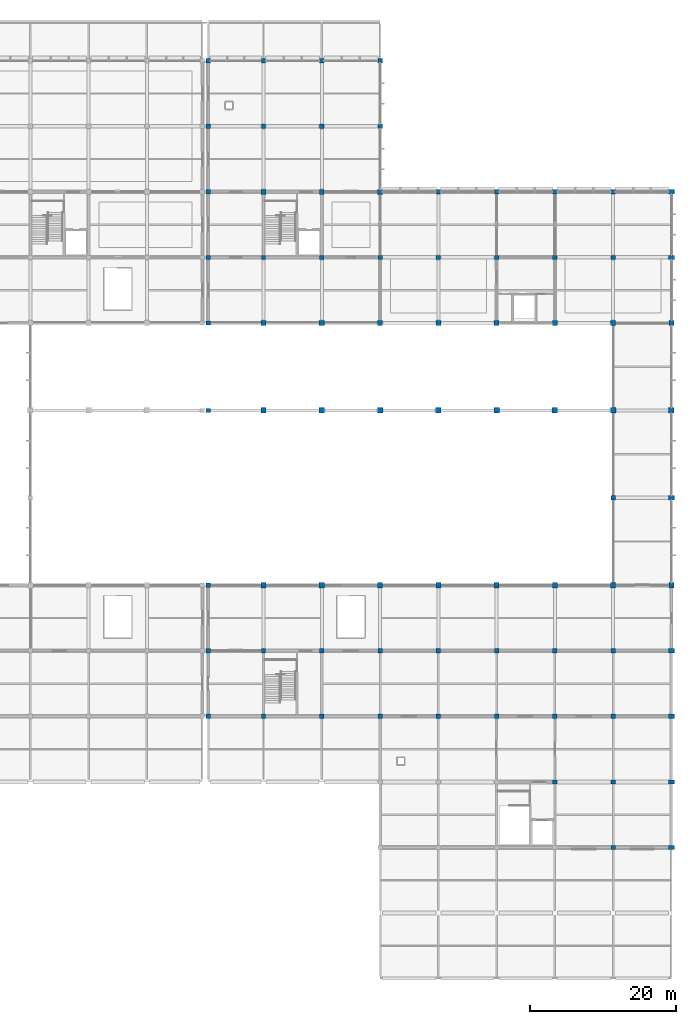
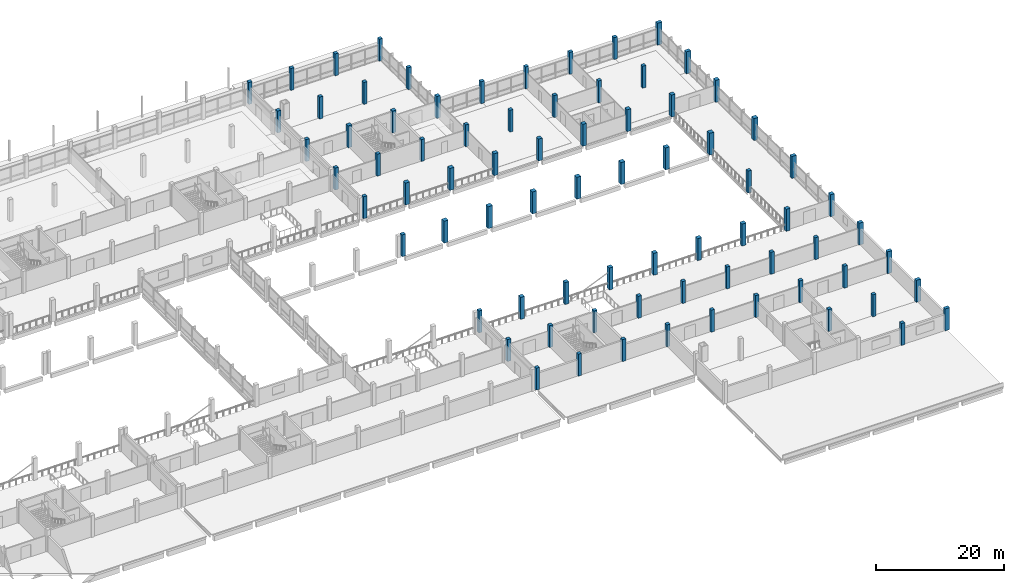
# One storey, part 2 of 57: 78 columns.
"""IFC4 building model written with IfcOpenShell, lengths in metres."""

import ifcopenshell
import ifcopenshell.guid

model = None  # the IFC model being written
_history = None  # IfcOwnerHistory: only IFC2X3 demands one
_inside = {}  # id of a spatial element -> (the spatial element, [elements in it])
_under = {}  # id of a project, library or spatial element -> (it, [spatial elements below it])
_declared = {}  # id of a project -> (the project, [libraries it declares])
_typed = {}  # id of a type object -> (the type object, [elements of that type])
_made_of = {}  # id of a material, layer set ... -> (it, [elements and type objects made of it])


def new_model(schema):
    """Start an empty IFC model of exactly this schema.

    Asked for "IFC4X3", IfcOpenShell would pick the latest addendum, in which some entities
    have other attributes; the version numbers below select the first issue.
    IFC2X3 requires an IfcOwnerHistory on every rooted entity: one is made here for all.
    """
    global model, _history
    if schema == "IFC4X3":
        model = ifcopenshell.file(schema_version=(4, 3, 0, 0))
    else:
        model = ifcopenshell.file(schema=schema)
    _inside.clear()
    _under.clear()
    _declared.clear()
    _typed.clear()
    _made_of.clear()
    _history = None
    if model.schema == "IFC2X3":
        org = make("IfcOrganization", Name="unknown")
        user = make(
            "IfcPersonAndOrganization",
            ThePerson=make("IfcPerson", FamilyName="unknown"),
            TheOrganization=org,
        )
        app = make(
            "IfcApplication",
            ApplicationDeveloper=org,
            Version="unknown",
            ApplicationFullName="unknown",
            ApplicationIdentifier="unknown",
        )
        _history = make(
            "IfcOwnerHistory",
            OwningUser=user,
            OwningApplication=app,
            ChangeAction="ADDED",
            CreationDate=0,
        )
    return model


def make(cls, **values):
    """One entity of the class cls with the attributes given. An attribute that is None is left unset."""
    return model.create_entity(
        cls, **{name: value for name, value in values.items() if value is not None}
    )


def rooted(cls, **values):
    """An entity with a GlobalId (a new one), such as an element, a storey or a relation."""
    return make(cls, GlobalId=ifcopenshell.guid.new(), OwnerHistory=_history, **values)


def si_unit(unit_type, name, prefix=None):
    """IfcSIUnit, for example si_unit("LENGTHUNIT", "METRE", prefix="MILLI")."""
    return make("IfcSIUnit", UnitType=unit_type, Prefix=prefix, Name=name)


def assignment(units):
    """IfcUnitAssignment: the units of a project."""
    return None if units is None else make("IfcUnitAssignment", Units=units)


def point(xyz):
    """IfcCartesianPoint."""
    return None if xyz is None else make("IfcCartesianPoint", Coordinates=xyz)


def direction(xyz):
    """IfcDirection."""
    return None if xyz is None else make("IfcDirection", DirectionRatios=xyz)


def frame(location, z_axis=None, x_axis=None):
    """IfcAxis2Placement3D, a coordinate frame: its origin and axes. An axis left out is left unset."""
    return make(
        "IfcAxis2Placement3D",
        Location=point(location),
        Axis=direction(z_axis),
        RefDirection=direction(x_axis),
    )


def frame_2d(location, x_axis=None):
    """IfcAxis2Placement2D, a coordinate frame in the plane: its origin and x axis."""
    return make(
        "IfcAxis2Placement2D", Location=point(location), RefDirection=direction(x_axis)
    )


def origin():
    """The frame at (0, 0, 0) with its axes left unset."""
    return frame((0.0, 0.0, 0.0))


def origin_2d():
    """The frame at (0, 0) in the plane with its x axis left unset."""
    return frame_2d((0.0, 0.0))


def place(relative_to, where):
    """IfcLocalPlacement: puts the frame where relative to a parent placement (None: the world)."""
    return make(
        "IfcLocalPlacement", PlacementRelTo=relative_to, RelativePlacement=where
    )


def context(
    kind, dimensions, precision=None, world=None, true_north=None, identifier=None
):
    """IfcGeometricRepresentationContext, for example the 3D "Model" context."""
    return make(
        "IfcGeometricRepresentationContext",
        ContextIdentifier=identifier,
        ContextType=kind,
        CoordinateSpaceDimension=dimensions,
        Precision=precision,
        WorldCoordinateSystem=world,
        TrueNorth=true_north,
    )


def subcontext(parent, identifier, kind, view, scale=None):
    """IfcGeometricRepresentationSubContext, for example "Body" below "Model"."""
    return make(
        "IfcGeometricRepresentationSubContext",
        ContextIdentifier=identifier,
        ContextType=kind,
        ParentContext=parent,
        TargetScale=scale,
        TargetView=view,
    )


def project(units=None, contexts=None):
    """IfcProject with its units and contexts."""
    return rooted(
        "IfcProject",
        Name="project",
        RepresentationContexts=contexts,
        UnitsInContext=assignment(units),
    )


def spatial(cls, under=None, at=None, **own):
    """A site, building, storey or space (cls), placed at a placement, below another one or the project."""
    s = rooted(cls, ObjectPlacement=at, **own)
    if under is not None:
        _under.setdefault(under.id(), (under, []))[1].append(s)
    return s


def profile(cls, at=None, kind="AREA", **sizes):
    """A parametric profile (cls). Its sizes go by their IFC names, for example OverallWidth=200.0."""
    return make(cls, ProfileType=kind, Position=at, **sizes)


def rectangle(**sizes):
    """IfcRectangleProfileDef."""
    return profile("IfcRectangleProfileDef", **sizes)


def extrude(swept, where, along, depth):
    """IfcExtrudedAreaSolid: the profile swept, set in the frame where, extruded along a direction by depth."""
    return make(
        "IfcExtrudedAreaSolid",
        SweptArea=swept,
        Position=where,
        ExtrudedDirection=direction(along),
        Depth=depth,
    )


def shape(context_of_items, identifier, shape_type, items):
    """IfcShapeRepresentation: the items that make up one representation, for example the "Body"."""
    return make(
        "IfcShapeRepresentation",
        ContextOfItems=context_of_items,
        RepresentationIdentifier=identifier,
        RepresentationType=shape_type,
        Items=items,
    )


def material(Name=None, Category=None):
    """IfcMaterial."""
    return make("IfcMaterial", Name=Name, Category=Category)


def material_profile(
    of_material, cross_section, Name=None, Category=None, Priority=None
):
    """IfcMaterialProfile: a cross section and its material."""
    return make(
        "IfcMaterialProfile",
        Name=Name,
        Material=of_material,
        Profile=cross_section,
        Priority=Priority,
        Category=Category,
    )


def profile_set(profiles, Name=None, composite=None):
    """IfcMaterialProfileSet."""
    return make(
        "IfcMaterialProfileSet",
        Name=Name,
        MaterialProfiles=profiles,
        CompositeProfile=composite,
    )


def made_of(thing, what):
    """Note that an element or type object is made of a material, layer set ...; save() writes the relation."""
    if what is not None:
        _made_of.setdefault(what.id(), (what, []))[1].append(thing)
    return thing


def type_object(cls, material=None, **own):
    """A type object (cls), such as IfcWallType, which elements share."""
    return made_of(rooted(cls, **own), material)


def element(
    cls,
    number,
    at=None,
    inside=None,
    cuts=None,
    type_object=None,
    material=None,
    context=None,
    identifier="Body",
    shape_type=None,
    held_by="IfcProductDefinitionShape",
    body=None,
    shapes=None,
    **own,
):
    """One element of the class cls, such as IfcWall. Its Tag is "e" and its number.

    at: its placement. inside: the storey or other place that contains it. cuts: it is an
    opening in that element (IfcRelVoidsElement). A single representation is given by context,
    identifier, shape_type and body (its items); several are given by shapes. held_by: the class
    of the entity that holds the representations. save() writes the other relations.
    """
    e = rooted(cls, Tag="e%d" % number, ObjectPlacement=at, **own)
    if body is not None:
        shapes = [shape(context, identifier, shape_type, body)]
    if shapes is not None:
        e.Representation = make(held_by, Representations=shapes)
    if inside is not None:
        _inside.setdefault(inside.id(), (inside, []))[1].append(e)
    if cuts is not None:
        rooted(
            "IfcRelVoidsElement", RelatingBuildingElement=cuts, RelatedOpeningElement=e
        )
    if type_object is not None:
        _typed.setdefault(type_object.id(), (type_object, []))[1].append(e)
    return made_of(e, material)


def aggregate(whole, parts):
    """IfcRelAggregates: a whole, such as a stair, and the parts it consists of."""
    return rooted("IfcRelAggregates", RelatingObject=whole, RelatedObjects=parts)


def save(model, path):
    """Write the relations noted so far, then the file.

    IfcRelAggregates (storeys below a building ...), IfcRelContainedInSpatialStructure (elements
    in a storey), IfcRelDefinesByType, IfcRelAssociatesMaterial and IfcRelDeclares: one each for
    every whole, place, type object, material and project.
    """
    for whole, parts in _under.values():
        aggregate(whole, parts)
    for where, things in _inside.values():
        rooted(
            "IfcRelContainedInSpatialStructure",
            RelatedElements=things,
            RelatingStructure=where,
        )
    for kind, things in _typed.values():
        rooted("IfcRelDefinesByType", RelatedObjects=things, RelatingType=kind)
    for what, things in _made_of.values():
        rooted("IfcRelAssociatesMaterial", RelatedObjects=things, RelatingMaterial=what)
    for by, libraries in _declared.values():
        rooted("IfcRelDeclares", RelatingContext=by, RelatedDefinitions=libraries)
    model.write(path)


model = new_model("IFC4")

# Units and contexts
model_context = context("Model", 3, precision=1e-05, world=origin(), true_north=direction((0.0, 1.0)))
body_context = subcontext(model_context, "Body", "Model", "MODEL_VIEW")
ifc_project = project(units=[si_unit("LENGTHUNIT", "METRE"), si_unit("AREAUNIT", "SQUARE_METRE"), si_unit("VOLUMEUNIT", "CUBIC_METRE"), si_unit("PLANEANGLEUNIT", "RADIAN"), si_unit("MASSUNIT", "GRAM", prefix="KILO"), si_unit("THERMODYNAMICTEMPERATUREUNIT", "KELVIN"), si_unit("POWERUNIT", "WATT")], contexts=[model_context])

# Site, building, storey
site_placement = place(None, origin())
site = spatial("IfcSite", under=ifc_project, at=site_placement, CompositionType="ELEMENT")
building_placement = place(site_placement, origin())
building = spatial("IfcBuilding", under=site, at=building_placement, Name="Kronsvod Quay Wholesale Market", CompositionType="ELEMENT")
storey_placement = place(building_placement, frame((0.0, 0.0, 4.800048828125)))
storey = spatial("IfcBuildingStorey", under=building, at=storey_placement, Name="L01", CompositionType="ELEMENT", Elevation=4.800048828125)

# Columns
ifc_material_1 = material(Name="Precast concrete C40/50", Category="concrete")
ifc_material_profile_1 = material_profile(ifc_material_1, rectangle(XDim=0.60009765625, YDim=0.60009765625, at=origin_2d()), Name="PCC600x600")
ifc_profile_set_1 = profile_set([ifc_material_profile_1], Name="Precast concrete C40/50")
column_type_1 = type_object("IfcColumnType", Name="Col_PCC600x600", PredefinedType="COLUMN", material=ifc_profile_set_1)
for number, where, z_axis, x_axis, name in (
    (1, (128.39990234375, 36.0, 0.0), (0.0, 0.0, 1.0), (1.0, 0.0, 0.0), "COLG-L01-1284-360"),
    (2, (128.39990234375, 45.0, 0.0), (0.0, 0.0, 1.0), (1.0, 0.0, 0.0), "COLG-L01-1284-450"),
    (3, (128.39990234375, 54.0, 0.0), (0.0, 0.0, 1.0), (1.0, 0.0, 0.0), "COLG-L01-1284-540"),
    (4, (128.39990234375, 78.0, 0.0), (0.0, 0.0, 1.0), (1.0, 0.0, 0.0), "COLG-L01-1284-780"),
    (5, (128.39990234375, 90.0, 0.0), (0.0, 0.0, 1.0), (1.0, 0.0, 0.0), "COLG-L01-1284-900"),
    (6, (128.39990234375, 99.0, 0.0), (0.0, 0.0, 1.0), (1.0, 0.0, 0.0), "COLG-L01-1284-990"),
    (7, (128.39990234375, 108.0, 0.0), (0.0, 0.0, 1.0), (1.0, 0.0, 0.0), "COLG-L01-1284-1080"),
    (8, (128.39990234375, 117.0, 0.0), (0.0, 0.0, 1.0), (1.0, 0.0, 0.0), "COLG-L01-1284-1170"),
    (9, (128.39990234375, 126.0, 0.0), (0.0, 0.0, 1.0), (1.0, 0.0, 0.0), "COLG-L01-1284-1260"),
    (10, (136.0, 36.0, 0.0), (0.0, 0.0, 1.0), (1.0, 0.0, 0.0), "COLG-L01-1360-360"),
    (11, (136.0, 45.0, 0.0), (0.0, 0.0, 1.0), (1.0, 0.0, 0.0), "COLG-L01-1360-450"),
    (12, (136.0, 99.0, 0.0), (0.0, 0.0, 1.0), (1.0, 0.0, 0.0), "COLG-L01-1360-990"),
    (13, (136.0, 117.0, 0.0), (0.0, 0.0, 1.0), (1.0, 0.0, 0.0), "COLG-L01-1360-1170"),
    (14, (136.0, 126.0, 0.0), (0.0, 0.0, 1.0), (1.0, 0.0, 0.0), "COLG-L01-1360-1260"),
    (15, (144.0, 36.0, 0.0), (0.0, 0.0, 1.0), (1.0, 0.0, 0.0), "COLG-L01-1440-360"),
    (16, (144.0, 45.0, 0.0), (0.0, 0.0, 1.0), (1.0, 0.0, 0.0), "COLG-L01-1440-450"),
    (17, (144.0, 99.0, 0.0), (0.0, 0.0, 1.0), (1.0, 0.0, 0.0), "COLG-L01-1440-990"),
    (18, (144.0, 117.0, 0.0), (0.0, 0.0, 1.0), (1.0, 0.0, 0.0), "COLG-L01-1440-1170"),
    (19, (144.0, 126.0, 0.0), (0.0, 0.0, 1.0), (1.0, 0.0, 0.0), "COLG-L01-1440-1260"),
    (20, (152.0, 36.0, 0.0), (0.0, 0.0, 1.0), (1.0, 0.0, 0.0), "COLG-L01-1520-360"),
    (21, (152.0, 45.0, 0.0), (0.0, 0.0, 1.0), (1.0, 0.0, 0.0), "COLG-L01-1520-450"),
    (22, (152.0, 99.0, 0.0), (0.0, 0.0, 1.0), (1.0, 0.0, 0.0), "COLG-L01-1520-990"),
    (23, (152.0, 117.0, 0.0), (0.0, 0.0, 1.0), (1.0, 0.0, 0.0), "COLG-L01-1520-1170"),
    (24, (152.0, 126.0, 0.0), (0.0, 0.0, 1.0), (1.0, 0.0, 0.0), "COLG-L01-1520-1260"),
    (25, (160.0, 36.0, 0.0), (0.0, 0.0, 1.0), (1.0, 0.0, 0.0), "COLG-L01-1600-360"),
    (26, (160.0, 45.0, 0.0), (0.0, 0.0, 1.0), (1.0, 0.0, 0.0), "COLG-L01-1600-450"),
    (27, (160.0, 99.0, 0.0), (0.0, 0.0, 1.0), (1.0, 0.0, 0.0), "COLG-L01-1600-990"),
    (28, (160.0, 108.0, 0.0), (0.0, 0.0, 1.0), (1.0, 0.0, 0.0), "COLG-L01-1600-1080"),
    (29, (168.0, 36.0, 0.0), (0.0, 0.0, 1.0), (1.0, 0.0, 0.0), "COLG-L01-1680-360"),
    (30, (168.0, 45.0, 0.0), (0.0, 0.0, 1.0), (1.0, 0.0, 0.0), "COLG-L01-1680-450"),
    (31, (168.0, 99.0, 0.0), (0.0, 0.0, 1.0), (1.0, 0.0, 0.0), "COLG-L01-1680-990"),
    (32, (168.0, 108.0, 0.0), (0.0, 0.0, 1.0), (1.0, 0.0, 0.0), "COLG-L01-1680-1080"),
    (33, (176.0, 27.0, 0.0), (0.0, 0.0, 1.0), (1.0, 0.0, 0.0), "COLG-L01-1760-270"),
    (34, (176.0, 36.0, 0.0), (0.0, 0.0, 1.0), (1.0, 0.0, 0.0), "COLG-L01-1760-360"),
    (35, (176.0, 45.0, 0.0), (0.0, 0.0, 1.0), (1.0, 0.0, 0.0), "COLG-L01-1760-450"),
    (36, (176.0, 99.0, 0.0), (0.0, 0.0, 1.0), (1.0, 0.0, 0.0), "COLG-L01-1760-990"),
    (37, (176.0, 108.0, 0.0), (0.0, 0.0, 1.0), (1.0, 0.0, 0.0), "COLG-L01-1760-1080"),
    (38, (184.0, 18.0, 0.0), (0.0, 0.0, 1.0), (1.0, 0.0, 0.0), "COLG-L01-1840-180"),
    (39, (184.0, 27.0, 0.0), (0.0, 0.0, 1.0), (1.0, 0.0, 0.0), "COLG-L01-1840-270"),
    (40, (184.0, 36.0, 0.0), (0.0, 0.0, 1.0), (1.0, 0.0, 0.0), "COLG-L01-1840-360"),
    (41, (184.0, 45.0, 0.0), (0.0, 0.0, 1.0), (1.0, 0.0, 0.0), "COLG-L01-1840-450"),
    (42, (184.0, 66.0, 0.0), (0.0, 0.0, 1.0), (1.0, 0.0, 0.0), "COLG-L01-1840-660"),
    (43, (184.0, 99.0, 0.0), (0.0, 0.0, 1.0), (1.0, 0.0, 0.0), "COLG-L01-1840-990"),
    (44, (184.0, 108.0, 0.0), (0.0, 0.0, 1.0), (1.0, 0.0, 0.0), "COLG-L01-1840-1080"),
):
    element("IfcColumn", number, at=place(storey_placement, frame(where, z_axis=z_axis, x_axis=x_axis)), inside=storey, type_object=column_type_1, Name=name, PredefinedType="COLUMN", context=body_context, shape_type="SweptSolid", body=[
        extrude(rectangle(XDim=0.60009765625, YDim=0.60009765625, at=origin_2d()), origin(), (0.0, 0.0, 1.0), 4.199951171875),
    ])
ifc_material_2 = material(Name="Precast concrete C40/50", Category="concrete")
ifc_material_profile_2 = material_profile(ifc_material_2, rectangle(XDim=0.64990234375, YDim=0.64990234375, at=origin_2d()), Name="COL-08")
ifc_profile_set_2 = profile_set([ifc_material_profile_2], Name="Precast concrete C40/50")
column_type_2 = type_object("IfcColumnType", Name="Col_PCC650x650", PredefinedType="COLUMN", material=ifc_profile_set_2)
for number, where, z_axis, x_axis, name in (
    (45, (136.0, 108.0, 0.0), (0.0, 0.0, 1.0), (1.0, 0.0, 0.0), "COLG-L01-1360-1080"),
    (46, (144.0, 108.0, 0.0), (0.0, 0.0, 1.0), (1.0, 0.0, 0.0), "COLG-L01-1440-1080"),
    (47, (152.0, 108.0, 0.0), (0.0, 0.0, 1.0), (1.0, 0.0, 0.0), "COLG-L01-1520-1080"),
):
    element("IfcColumn", number, at=place(storey_placement, frame(where, z_axis=z_axis, x_axis=x_axis)), inside=storey, type_object=column_type_2, Name=name, PredefinedType="COLUMN", context=body_context, shape_type="SweptSolid", body=[
        extrude(rectangle(XDim=0.64990234375, YDim=0.64990234375, at=origin_2d()), origin(), (0.0, 0.0, 1.0), 4.199951171875),
    ])
ifc_material_3 = material(Name="Precast concrete C40/50", Category="concrete")
ifc_material_profile_3 = material_profile(ifc_material_3, rectangle(XDim=0.699951171875, YDim=0.699951171875, at=origin_2d()), Name="PCC700x700")
ifc_profile_set_3 = profile_set([ifc_material_profile_3], Name="Precast concrete C40/50")
column_type_3 = type_object("IfcColumnType", Name="Col_PCC700x700", PredefinedType="COLUMN", material=ifc_profile_set_3)
for number, where, z_axis, x_axis, name in (
    (48, (136.0, 54.0, 0.0), (0.0, 0.0, 1.0), (1.0, 0.0, 0.0), "COLG-L01-1360-540"),
    (49, (136.0, 90.0, 0.0), (0.0, 0.0, 1.0), (1.0, 0.0, 0.0), "COLG-L01-1360-900"),
    (50, (144.0, 54.0, 0.0), (0.0, 0.0, 1.0), (1.0, 0.0, 0.0), "COLG-L01-1440-540"),
    (51, (144.0, 90.0, 0.0), (0.0, 0.0, 1.0), (1.0, 0.0, 0.0), "COLG-L01-1440-900"),
    (52, (152.0, 54.0, 0.0), (0.0, 0.0, 1.0), (1.0, 0.0, 0.0), "COLG-L01-1520-540"),
    (53, (152.0, 90.0, 0.0), (0.0, 0.0, 1.0), (1.0, 0.0, 0.0), "COLG-L01-1520-900"),
    (54, (160.0, 54.0, 0.0), (0.0, 0.0, 1.0), (1.0, 0.0, 0.0), "COLG-L01-1600-540"),
    (55, (160.0, 90.0, 0.0), (0.0, 0.0, 1.0), (1.0, 0.0, 0.0), "COLG-L01-1600-900"),
    (56, (168.0, 54.0, 0.0), (0.0, 0.0, 1.0), (1.0, 0.0, 0.0), "COLG-L01-1680-540"),
    (57, (168.0, 90.0, 0.0), (0.0, 0.0, 1.0), (1.0, 0.0, 0.0), "COLG-L01-1680-900"),
    (58, (176.0, 54.0, 0.0), (0.0, 0.0, 1.0), (1.0, 0.0, 0.0), "COLG-L01-1760-540"),
    (59, (176.0, 90.0, 0.0), (0.0, 0.0, 1.0), (1.0, 0.0, 0.0), "COLG-L01-1760-900"),
    (60, (184.0, 54.0, 0.0), (0.0, 0.0, 1.0), (1.0, 0.0, 0.0), "COLG-L01-1840-540"),
    (61, (184.0, 90.0, 0.0), (0.0, 0.0, 1.0), (1.0, 0.0, 0.0), "COLG-L01-1840-900"),
    (62, (192.0, 54.0, 0.0), (0.0, 0.0, 1.0), (1.0, 0.0, 0.0), "COLG-L01-1920-540"),
    (63, (192.0, 90.0, 0.0), (0.0, 0.0, 1.0), (1.0, 0.0, 0.0), "COLG-L01-1920-900"),
):
    element("IfcColumn", number, at=place(storey_placement, frame(where, z_axis=z_axis, x_axis=x_axis)), inside=storey, type_object=column_type_3, Name=name, PredefinedType="COLUMN", context=body_context, shape_type="SweptSolid", body=[
        extrude(rectangle(XDim=0.699951171875, YDim=0.699951171875, at=origin_2d()), origin(), (0.0, 0.0, 1.0), 4.199951171875),
    ])
ifc_material_4 = material(Name="Precast concrete C40/50", Category="concrete")
ifc_material_profile_4 = material_profile(ifc_material_4, rectangle(XDim=0.75, YDim=0.75, at=origin_2d()), Name="COL-07")
ifc_profile_set_4 = profile_set([ifc_material_profile_4], Name="Precast concrete C40/50")
column_type_4 = type_object("IfcColumnType", Name="Col_PCC750x750", PredefinedType="COLUMN", material=ifc_profile_set_4)
for number, where, z_axis, x_axis, name in (
    (64, (136.0, 78.0, 0.0), (0.0, 0.0, 1.0), (1.0, 0.0, 0.0), "COLG-L01-1360-780"),
    (65, (144.0, 78.0, 0.0), (0.0, 0.0, 1.0), (1.0, 0.0, 0.0), "COLG-L01-1440-780"),
    (66, (152.0, 78.0, 0.0), (0.0, 0.0, 1.0), (1.0, 0.0, 0.0), "COLG-L01-1520-780"),
    (67, (160.0, 78.0, 0.0), (0.0, 0.0, 1.0), (1.0, 0.0, 0.0), "COLG-L01-1600-780"),
    (68, (168.0, 78.0, 0.0), (0.0, 0.0, 1.0), (1.0, 0.0, 0.0), "COLG-L01-1680-780"),
    (69, (176.0, 78.0, 0.0), (0.0, 0.0, 1.0), (1.0, 0.0, 0.0), "COLG-L01-1760-780"),
    (70, (184.0, 78.0, 0.0), (0.0, 0.0, 1.0), (1.0, 0.0, 0.0), "COLG-L01-1840-780"),
    (71, (192.0, 78.0, 0.0), (0.0, 0.0, 1.0), (1.0, 0.0, 0.0), "COLG-L01-1920-780"),
):
    element("IfcColumn", number, at=place(storey_placement, frame(where, z_axis=z_axis, x_axis=x_axis)), inside=storey, type_object=column_type_4, Name=name, PredefinedType="COLUMN", context=body_context, shape_type="SweptSolid", body=[
        extrude(rectangle(XDim=0.75, YDim=0.75, at=origin_2d()), origin(), (0.0, 0.0, 1.0), 4.199951171875),
    ])
ifc_material_5 = material(Name="Precast concrete C40/50", Category="concrete")
ifc_material_profile_5 = material_profile(ifc_material_5, rectangle(XDim=0.800048828125, YDim=0.60009765625, at=origin_2d()), Name="PCC800x600")
ifc_profile_set_5 = profile_set([ifc_material_profile_5], Name="Precast concrete C40/50")
column_type_5 = type_object("IfcColumnType", Name="Col_PCC800x600", PredefinedType="COLUMN", material=ifc_profile_set_5)
for number, where, z_axis, x_axis, name in (
    (72, (192.0, 18.0, 0.0), (0.0, 0.0, 1.0), (1.0, 0.0, 0.0), "COLG-L01-1920-180"),
    (73, (192.0, 27.0, 0.0), (0.0, 0.0, 1.0), (1.0, 0.0, 0.0), "COLG-L01-1920-270"),
    (74, (192.0, 36.0, 0.0), (0.0, 0.0, 1.0), (1.0, 0.0, 0.0), "COLG-L01-1920-360"),
    (75, (192.0, 45.0, 0.0), (0.0, 0.0, 1.0), (1.0, 0.0, 0.0), "COLG-L01-1920-450"),
    (76, (192.0, 66.0, 0.0), (0.0, 0.0, 1.0), (1.0, 0.0, 0.0), "COLG-L01-1920-660"),
    (77, (192.0, 99.0, 0.0), (0.0, 0.0, 1.0), (1.0, 0.0, 0.0), "COLG-L01-1920-990"),
    (78, (192.0, 108.0, 0.0), (0.0, 0.0, 1.0), (1.0, 0.0, 0.0), "COLG-L01-1920-1080"),
):
    element("IfcColumn", number, at=place(storey_placement, frame(where, z_axis=z_axis, x_axis=x_axis)), inside=storey, type_object=column_type_5, Name=name, PredefinedType="COLUMN", context=body_context, shape_type="SweptSolid", body=[
        extrude(rectangle(XDim=0.800048828125, YDim=0.60009765625, at=origin_2d()), origin(), (0.0, 0.0, 1.0), 4.199951171875),
    ])

save(model, "model.ifc")
